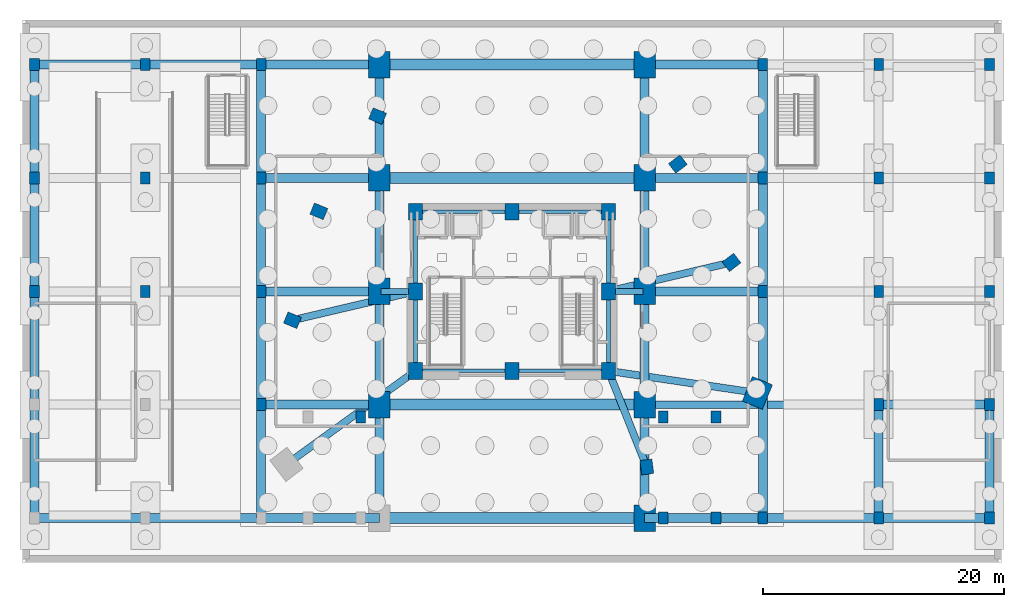
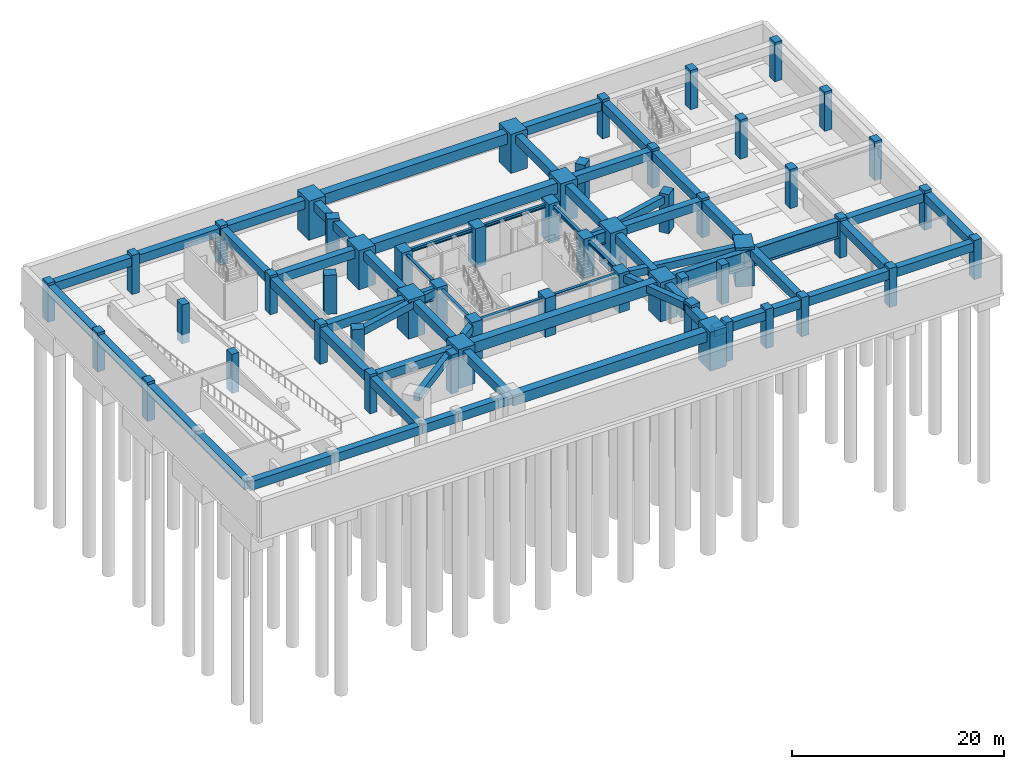
# One storey, part 2 of 10: 61 beams, 53 columns.
"""IFC4 building model written with IfcOpenShell, lengths in metres."""

import ifcopenshell
import ifcopenshell.guid

model = None  # the IFC model being written
_history = None  # IfcOwnerHistory: only IFC2X3 demands one
_inside = {}  # id of a spatial element -> (the spatial element, [elements in it])
_under = {}  # id of a project, library or spatial element -> (it, [spatial elements below it])
_declared = {}  # id of a project -> (the project, [libraries it declares])
_typed = {}  # id of a type object -> (the type object, [elements of that type])
_made_of = {}  # id of a material, layer set ... -> (it, [elements and type objects made of it])


def new_model(schema):
    """Start an empty IFC model of exactly this schema.

    Asked for "IFC4X3", IfcOpenShell would pick the latest addendum, in which some entities
    have other attributes; the version numbers below select the first issue.
    IFC2X3 requires an IfcOwnerHistory on every rooted entity: one is made here for all.
    """
    global model, _history
    if schema == "IFC4X3":
        model = ifcopenshell.file(schema_version=(4, 3, 0, 0))
    else:
        model = ifcopenshell.file(schema=schema)
    _inside.clear()
    _under.clear()
    _declared.clear()
    _typed.clear()
    _made_of.clear()
    _history = None
    if model.schema == "IFC2X3":
        org = make("IfcOrganization", Name="unknown")
        user = make(
            "IfcPersonAndOrganization",
            ThePerson=make("IfcPerson", FamilyName="unknown"),
            TheOrganization=org,
        )
        app = make(
            "IfcApplication",
            ApplicationDeveloper=org,
            Version="unknown",
            ApplicationFullName="unknown",
            ApplicationIdentifier="unknown",
        )
        _history = make(
            "IfcOwnerHistory",
            OwningUser=user,
            OwningApplication=app,
            ChangeAction="ADDED",
            CreationDate=0,
        )
    return model


def make(cls, **values):
    """One entity of the class cls with the attributes given. An attribute that is None is left unset."""
    return model.create_entity(
        cls, **{name: value for name, value in values.items() if value is not None}
    )


def rooted(cls, **values):
    """An entity with a GlobalId (a new one), such as an element, a storey or a relation."""
    return make(cls, GlobalId=ifcopenshell.guid.new(), OwnerHistory=_history, **values)


def si_unit(unit_type, name, prefix=None):
    """IfcSIUnit, for example si_unit("LENGTHUNIT", "METRE", prefix="MILLI")."""
    return make("IfcSIUnit", UnitType=unit_type, Prefix=prefix, Name=name)


def assignment(units):
    """IfcUnitAssignment: the units of a project."""
    return None if units is None else make("IfcUnitAssignment", Units=units)


def point(xyz):
    """IfcCartesianPoint."""
    return None if xyz is None else make("IfcCartesianPoint", Coordinates=xyz)


def direction(xyz):
    """IfcDirection."""
    return None if xyz is None else make("IfcDirection", DirectionRatios=xyz)


def frame(location, z_axis=None, x_axis=None):
    """IfcAxis2Placement3D, a coordinate frame: its origin and axes. An axis left out is left unset."""
    return make(
        "IfcAxis2Placement3D",
        Location=point(location),
        Axis=direction(z_axis),
        RefDirection=direction(x_axis),
    )


def frame_2d(location, x_axis=None):
    """IfcAxis2Placement2D, a coordinate frame in the plane: its origin and x axis."""
    return make(
        "IfcAxis2Placement2D", Location=point(location), RefDirection=direction(x_axis)
    )


def origin():
    """The frame at (0, 0, 0) with its axes left unset."""
    return frame((0.0, 0.0, 0.0))


def origin_2d():
    """The frame at (0, 0) in the plane with its x axis left unset."""
    return frame_2d((0.0, 0.0))


def place(relative_to, where):
    """IfcLocalPlacement: puts the frame where relative to a parent placement (None: the world)."""
    return make(
        "IfcLocalPlacement", PlacementRelTo=relative_to, RelativePlacement=where
    )


def context(
    kind, dimensions, precision=None, world=None, true_north=None, identifier=None
):
    """IfcGeometricRepresentationContext, for example the 3D "Model" context."""
    return make(
        "IfcGeometricRepresentationContext",
        ContextIdentifier=identifier,
        ContextType=kind,
        CoordinateSpaceDimension=dimensions,
        Precision=precision,
        WorldCoordinateSystem=world,
        TrueNorth=true_north,
    )


def subcontext(parent, identifier, kind, view, scale=None):
    """IfcGeometricRepresentationSubContext, for example "Body" below "Model"."""
    return make(
        "IfcGeometricRepresentationSubContext",
        ContextIdentifier=identifier,
        ContextType=kind,
        ParentContext=parent,
        TargetScale=scale,
        TargetView=view,
    )


def project(units=None, contexts=None):
    """IfcProject with its units and contexts."""
    return rooted(
        "IfcProject",
        Name="project",
        RepresentationContexts=contexts,
        UnitsInContext=assignment(units),
    )


def spatial(cls, under=None, at=None, **own):
    """A site, building, storey or space (cls), placed at a placement, below another one or the project."""
    s = rooted(cls, ObjectPlacement=at, **own)
    if under is not None:
        _under.setdefault(under.id(), (under, []))[1].append(s)
    return s


def profile(cls, at=None, kind="AREA", **sizes):
    """A parametric profile (cls). Its sizes go by their IFC names, for example OverallWidth=200.0."""
    return make(cls, ProfileType=kind, Position=at, **sizes)


def rectangle(**sizes):
    """IfcRectangleProfileDef."""
    return profile("IfcRectangleProfileDef", **sizes)


def i_section(**sizes):
    """IfcIShapeProfileDef."""
    return profile("IfcIShapeProfileDef", **sizes)


def extrude(swept, where, along, depth):
    """IfcExtrudedAreaSolid: the profile swept, set in the frame where, extruded along a direction by depth."""
    return make(
        "IfcExtrudedAreaSolid",
        SweptArea=swept,
        Position=where,
        ExtrudedDirection=direction(along),
        Depth=depth,
    )


def shape(context_of_items, identifier, shape_type, items):
    """IfcShapeRepresentation: the items that make up one representation, for example the "Body"."""
    return make(
        "IfcShapeRepresentation",
        ContextOfItems=context_of_items,
        RepresentationIdentifier=identifier,
        RepresentationType=shape_type,
        Items=items,
    )


def material(Name=None, Category=None):
    """IfcMaterial."""
    return make("IfcMaterial", Name=Name, Category=Category)


def material_profile(
    of_material, cross_section, Name=None, Category=None, Priority=None
):
    """IfcMaterialProfile: a cross section and its material."""
    return make(
        "IfcMaterialProfile",
        Name=Name,
        Material=of_material,
        Profile=cross_section,
        Priority=Priority,
        Category=Category,
    )


def profile_set(profiles, Name=None, composite=None):
    """IfcMaterialProfileSet."""
    return make(
        "IfcMaterialProfileSet",
        Name=Name,
        MaterialProfiles=profiles,
        CompositeProfile=composite,
    )


def made_of(thing, what):
    """Note that an element or type object is made of a material, layer set ...; save() writes the relation."""
    if what is not None:
        _made_of.setdefault(what.id(), (what, []))[1].append(thing)
    return thing


def type_object(cls, material=None, **own):
    """A type object (cls), such as IfcWallType, which elements share."""
    return made_of(rooted(cls, **own), material)


def element(
    cls,
    number,
    at=None,
    inside=None,
    cuts=None,
    type_object=None,
    material=None,
    context=None,
    identifier="Body",
    shape_type=None,
    held_by="IfcProductDefinitionShape",
    body=None,
    shapes=None,
    **own,
):
    """One element of the class cls, such as IfcWall. Its Tag is "e" and its number.

    at: its placement. inside: the storey or other place that contains it. cuts: it is an
    opening in that element (IfcRelVoidsElement). A single representation is given by context,
    identifier, shape_type and body (its items); several are given by shapes. held_by: the class
    of the entity that holds the representations. save() writes the other relations.
    """
    e = rooted(cls, Tag="e%d" % number, ObjectPlacement=at, **own)
    if body is not None:
        shapes = [shape(context, identifier, shape_type, body)]
    if shapes is not None:
        e.Representation = make(held_by, Representations=shapes)
    if inside is not None:
        _inside.setdefault(inside.id(), (inside, []))[1].append(e)
    if cuts is not None:
        rooted(
            "IfcRelVoidsElement", RelatingBuildingElement=cuts, RelatedOpeningElement=e
        )
    if type_object is not None:
        _typed.setdefault(type_object.id(), (type_object, []))[1].append(e)
    return made_of(e, material)


def aggregate(whole, parts):
    """IfcRelAggregates: a whole, such as a stair, and the parts it consists of."""
    return rooted("IfcRelAggregates", RelatingObject=whole, RelatedObjects=parts)


def save(model, path):
    """Write the relations noted so far, then the file.

    IfcRelAggregates (storeys below a building ...), IfcRelContainedInSpatialStructure (elements
    in a storey), IfcRelDefinesByType, IfcRelAssociatesMaterial and IfcRelDeclares: one each for
    every whole, place, type object, material and project.
    """
    for whole, parts in _under.values():
        aggregate(whole, parts)
    for where, things in _inside.values():
        rooted(
            "IfcRelContainedInSpatialStructure",
            RelatedElements=things,
            RelatingStructure=where,
        )
    for kind, things in _typed.values():
        rooted("IfcRelDefinesByType", RelatedObjects=things, RelatingType=kind)
    for what, things in _made_of.values():
        rooted("IfcRelAssociatesMaterial", RelatedObjects=things, RelatingMaterial=what)
    for by, libraries in _declared.values():
        rooted("IfcRelDeclares", RelatingContext=by, RelatedDefinitions=libraries)
    model.write(path)


model = new_model("IFC4")

# Units and contexts
model_context = context("Model", 3, precision=1e-05, world=origin(), true_north=direction((0.0, 1.0)))
body_context = subcontext(model_context, "Body", "Model", "MODEL_VIEW")
ifc_project = project(units=[si_unit("LENGTHUNIT", "METRE"), si_unit("AREAUNIT", "SQUARE_METRE"), si_unit("VOLUMEUNIT", "CUBIC_METRE"), si_unit("PLANEANGLEUNIT", "RADIAN"), si_unit("MASSUNIT", "GRAM", prefix="KILO")], contexts=[model_context])

# Site, building, storey
site_placement = place(None, origin())
site = spatial("IfcSite", under=ifc_project, at=site_placement, CompositionType="ELEMENT")
building_placement = place(site_placement, origin())
building = spatial("IfcBuilding", under=site, at=building_placement, Name="Ndelora Gate Hotel", CompositionType="ELEMENT")
storey_placement = place(building_placement, frame((0.0, 0.0, -13.5)))
storey = spatial("IfcBuildingStorey", under=building, at=storey_placement, Name="B03", CompositionType="ELEMENT", Elevation=-13.5)

# Columns
ifc_material_1 = material(Name="Concrete C60/75", Category="concrete")
ifc_material_profile_1 = material_profile(ifc_material_1, rectangle(XDim=1.800048828125, YDim=2.199951171875, at=origin_2d()), Name="RC 2200x1800")
ifc_profile_set_1 = profile_set([ifc_material_profile_1], Name="Concrete C60/75")
column_type_1 = type_object("IfcColumnType", Name="COL-ARCH-PIER", PredefinedType="COLUMN", material=ifc_profile_set_1)
for number, where, z_axis, x_axis, name in (
    (1, (-11.0, -9.39990234375, 0.0), (0.0, 0.0, 1.0), (1.0, 0.0, 0.0), "B03 Podium Column PC-04-02"),
    (2, (-11.0, 0.0, 0.0), (0.0, 0.0, 1.0), (1.0, 0.0, 0.0), "B03 Podium Column PC-04-03"),
    (3, (-11.0, 9.39990234375, 0.0), (0.0, 0.0, 1.0), (1.0, 0.0, 0.0), "B03 Podium Column PC-04-04"),
    (4, (-11.0, 18.800048828125, 0.0), (0.0, 0.0, 1.0), (1.0, 0.0, 0.0), "B03 Podium Column PC-04-05"),
    (5, (11.0, -18.800048828125, 0.0), (0.0, 0.0, 1.0), (1.0, 0.0, 0.0), "B03 Podium Column PC-05-01"),
    (6, (11.0, -9.39990234375, 0.0), (0.0, 0.0, 1.0), (1.0, 0.0, 0.0), "B03 Podium Column PC-05-02"),
    (7, (11.0, 0.0, 0.0), (0.0, 0.0, 1.0), (1.0, 0.0, 0.0), "B03 Podium Column PC-05-03"),
    (8, (11.0, 9.39990234375, 0.0), (0.0, 0.0, 1.0), (1.0, 0.0, 0.0), "B03 Podium Column PC-05-04"),
    (9, (11.0, 18.800048828125, 0.0), (0.0, 0.0, 1.0), (1.0, 0.0, 0.0), "B03 Podium Column PC-05-05"),
):
    element("IfcColumn", number, at=place(storey_placement, frame(where, z_axis=z_axis, x_axis=x_axis)), inside=storey, type_object=column_type_1, Name=name, PredefinedType="COLUMN", context=body_context, shape_type="SweptSolid", body=[
        extrude(rectangle(XDim=1.800048828125, YDim=2.199951171875, at=origin_2d()), origin(), (0.0, 0.0, 1.0), 4.5),
    ])
ifc_material_profile_2 = material_profile(ifc_material_1, rectangle(XDim=1.14990234375, YDim=1.39990234375, at=origin_2d()), Name="RC 1400x1150")
ifc_profile_set_2 = profile_set([ifc_material_profile_2], Name="Concrete C60/75")
column_type_2 = type_object("IfcColumnType", Name="COL-CC-LOW", PredefinedType="COLUMN", material=ifc_profile_set_2)
for number, where, z_axis, x_axis, name in (
    (10, (-8.0, -6.60009765625, 0.0), (0.0, 0.0, 1.0), (1.0, 0.0, 0.0), "B03 Core Column CC1"),
    (11, (0.0, -6.60009765625, 0.0), (0.0, 0.0, 1.0), (1.0, 0.0, 0.0), "B03 Core Column CC2"),
    (12, (8.0, -6.60009765625, 0.0), (0.0, 0.0, 1.0), (1.0, 0.0, 0.0), "B03 Core Column CC3"),
    (13, (8.0, 0.0, 0.0), (0.0, 0.0, 1.0), (1.0, 0.0, 0.0), "B03 Core Column CC4"),
    (14, (8.0, 6.60009765625, 0.0), (0.0, 0.0, 1.0), (1.0, 0.0, 0.0), "B03 Core Column CC5"),
    (15, (0.0, 6.60009765625, 0.0), (0.0, 0.0, 1.0), (1.0, 0.0, 0.0), "B03 Core Column CC6"),
    (16, (-8.0, 6.60009765625, 0.0), (0.0, 0.0, 1.0), (1.0, 0.0, 0.0), "B03 Core Column CC7"),
    (17, (-8.0, 0.0, 0.0), (0.0, 0.0, 1.0), (1.0, 0.0, 0.0), "B03 Core Column CC8"),
):
    element("IfcColumn", number, at=place(storey_placement, frame(where, z_axis=z_axis, x_axis=x_axis)), inside=storey, type_object=column_type_2, Name=name, PredefinedType="COLUMN", context=body_context, shape_type="SweptSolid", body=[
        extrude(rectangle(XDim=1.14990234375, YDim=1.39990234375, at=origin_2d()), origin(), (0.0, 0.0, 1.0), 4.5),
    ])
ifc_material_profile_3 = material_profile(ifc_material_1, rectangle(XDim=1.800048828125, YDim=2.199951171875, at=origin_2d()), Name="RC 2200x1800")
ifc_profile_set_3 = profile_set([ifc_material_profile_3], Name="Concrete C60/75")
column_type_3 = type_object("IfcColumnType", Name="COL-MC-Z1", PredefinedType="COLUMN", material=ifc_profile_set_3)
column_placement = place(storey_placement, frame((20.35009765625, -8.42919921875, 0.0), z_axis=(0.0, 0.0, 1.0), x_axis=(-0.923879532511, 0.382683432365, 0.0)))
element("IfcColumn", 18, at=column_placement, inside=storey, type_object=column_type_3, Name="B03 Tower Plumb Root Column R9", PredefinedType="COLUMN", context=body_context, shape_type="SweptSolid", body=[
    extrude(rectangle(XDim=1.800048828125, YDim=2.199951171875, at=origin_2d()), origin(), (0.0, 0.0, 1.0), 4.5),
])
ifc_material_2 = material(Name="Concrete C50/60", Category="concrete")
ifc_material_profile_4 = material_profile(ifc_material_2, rectangle(XDim=0.800048828125, YDim=1.0, at=origin_2d()), Name="RC 1000x800")
ifc_profile_set_4 = profile_set([ifc_material_profile_4], Name="Concrete C50/60")
column_type_4 = type_object("IfcColumnType", Name="COL-POD-BSM", PredefinedType="COLUMN", material=ifc_profile_set_4)
for number, where, z_axis, x_axis, name in (
    (19, (-39.60009765625, 0.0, 0.0), (0.0, 0.0, 1.0), (1.0, 0.0, 0.0), "B03 Podium Column PC-01-03"),
    (20, (-39.60009765625, 9.39990234375, 0.0), (0.0, 0.0, 1.0), (1.0, 0.0, 0.0), "B03 Podium Column PC-01-04"),
    (21, (-39.60009765625, 18.800048828125, 0.0), (0.0, 0.0, 1.0), (1.0, 0.0, 0.0), "B03 Podium Column PC-01-05"),
    (22, (-30.39990234375, 0.0, 0.0), (0.0, 0.0, 1.0), (1.0, 0.0, 0.0), "B03 Podium Column PC-02-03"),
    (23, (-30.39990234375, 9.39990234375, 0.0), (0.0, 0.0, 1.0), (1.0, 0.0, 0.0), "B03 Podium Column PC-02-04"),
    (24, (-30.39990234375, 18.800048828125, 0.0), (0.0, 0.0, 1.0), (1.0, 0.0, 0.0), "B03 Podium Column PC-02-05"),
    (25, (-20.800048828125, -9.39990234375, 0.0), (0.0, 0.0, 1.0), (1.0, 0.0, 0.0), "B03 Podium Column PC-03-02"),
    (26, (-20.800048828125, 0.0, 0.0), (0.0, 0.0, 1.0), (1.0, 0.0, 0.0), "B03 Podium Column PC-03-03"),
    (27, (-20.800048828125, 9.39990234375, 0.0), (0.0, 0.0, 1.0), (1.0, 0.0, 0.0), "B03 Podium Column PC-03-04"),
    (28, (-20.800048828125, 18.800048828125, 0.0), (0.0, 0.0, 1.0), (1.0, 0.0, 0.0), "B03 Podium Column PC-03-05"),
    (29, (20.800048828125, -18.800048828125, 0.0), (0.0, 0.0, 1.0), (1.0, 0.0, 0.0), "B03 Podium Column PC-06-01"),
    (30, (20.800048828125, 0.0, 0.0), (0.0, 0.0, 1.0), (1.0, 0.0, 0.0), "B03 Podium Column PC-06-03"),
    (31, (20.800048828125, 9.39990234375, 0.0), (0.0, 0.0, 1.0), (1.0, 0.0, 0.0), "B03 Podium Column PC-06-04"),
    (32, (20.800048828125, 18.800048828125, 0.0), (0.0, 0.0, 1.0), (1.0, 0.0, 0.0), "B03 Podium Column PC-06-05"),
    (33, (30.39990234375, -18.800048828125, 0.0), (0.0, 0.0, 1.0), (1.0, 0.0, 0.0), "B03 Podium Column PC-07-01"),
    (34, (30.39990234375, -9.39990234375, 0.0), (0.0, 0.0, 1.0), (1.0, 0.0, 0.0), "B03 Podium Column PC-07-02"),
    (35, (30.39990234375, 0.0, 0.0), (0.0, 0.0, 1.0), (1.0, 0.0, 0.0), "B03 Podium Column PC-07-03"),
    (36, (30.39990234375, 9.39990234375, 0.0), (0.0, 0.0, 1.0), (1.0, 0.0, 0.0), "B03 Podium Column PC-07-04"),
    (37, (30.39990234375, 18.800048828125, 0.0), (0.0, 0.0, 1.0), (1.0, 0.0, 0.0), "B03 Podium Column PC-07-05"),
    (38, (39.60009765625, -18.800048828125, 0.0), (0.0, 0.0, 1.0), (1.0, 0.0, 0.0), "B03 Podium Column PC-08-01"),
    (39, (39.60009765625, -9.39990234375, 0.0), (0.0, 0.0, 1.0), (1.0, 0.0, 0.0), "B03 Podium Column PC-08-02"),
    (40, (39.60009765625, 0.0, 0.0), (0.0, 0.0, 1.0), (1.0, 0.0, 0.0), "B03 Podium Column PC-08-03"),
    (41, (39.60009765625, 9.39990234375, 0.0), (0.0, 0.0, 1.0), (1.0, 0.0, 0.0), "B03 Podium Column PC-08-04"),
    (42, (39.60009765625, 18.800048828125, 0.0), (0.0, 0.0, 1.0), (1.0, 0.0, 0.0), "B03 Podium Column PC-08-05"),
    (43, (-12.5400390625, -10.429931640625, 0.0), (0.0, 0.0, 1.0), (1.0, 0.0, 0.0), "B03 Stair ST3A Plumb Support Column 4"),
    (44, (12.5400390625, -18.800048828125, 0.0), (0.0, 0.0, 1.0), (1.0, 0.0, 0.0), "B03 Stair ST3B Plumb Support Column 1"),
    (45, (16.919921875, -18.800048828125, 0.0), (0.0, 0.0, 1.0), (1.0, 0.0, 0.0), "B03 Stair ST3B Plumb Support Column 2"),
    (46, (12.5400390625, -10.429931640625, 0.0), (0.0, 0.0, 1.0), (1.0, 0.0, 0.0), "B03 Stair ST3B Plumb Support Column 3"),
    (47, (16.919921875, -10.429931640625, 0.0), (0.0, 0.0, 1.0), (1.0, 0.0, 0.0), "B03 Stair ST3B Plumb Support Column 4"),
):
    element("IfcColumn", number, at=place(storey_placement, frame(where, z_axis=z_axis, x_axis=x_axis)), inside=storey, type_object=column_type_4, Name=name, PredefinedType="COLUMN", context=body_context, shape_type="SweptSolid", body=[
        extrude(rectangle(XDim=0.800048828125, YDim=1.0, at=origin_2d()), origin(), (0.0, 0.0, 1.0), 4.5),
    ])
ifc_material_profile_5 = material_profile(ifc_material_1, rectangle(XDim=1.0, YDim=1.199951171875, at=origin_2d()), Name="RC 1200x1000")
ifc_profile_set_5 = profile_set([ifc_material_profile_5], Name="Concrete C60/75")
column_type_5 = type_object("IfcColumnType", Name="COL-PT-Z1", PredefinedType="COLUMN", material=ifc_profile_set_5)
for number, where, z_axis, x_axis, name in (
    (48, (-11.1484375, 14.529052734375, 0.0), (0.0, 0.0, 1.0), (0.382683432365, 0.923879532511, 0.0), "B03 Tower Plumb Root Column R2"),
    (49, (-16.016845703125, 6.634521484375, 0.0), (0.0, 0.0, 1.0), (0.382683432365, 0.923879532511, 0.0), "B03 Tower Plumb Root Column R3"),
    (50, (-18.207275390625, -2.39697265625, 0.0), (0.0, 0.0, 1.0), (0.382683432365, 0.923879532511, 0.0), "B03 Tower Plumb Root Column R4"),
    (51, (11.179443359375, -14.5693359375, 0.0), (0.0, 0.0, 1.0), (0.991444861374, 0.13052619222, 0.0), "B03 Tower Plumb Root Column R8"),
    (52, (18.207275390625, 2.39697265625, 0.0), (0.0, 0.0, 1.0), (-0.608761429009, 0.793353340291, 0.0), "B03 Tower Plumb Root Column R10"),
    (53, (13.75390625, 10.5537109375, 0.0), (0.0, 0.0, 1.0), (-0.608761429009, 0.793353340291, 0.0), "B03 Tower Plumb Root Column R11"),
):
    element("IfcColumn", number, at=place(storey_placement, frame(where, z_axis=z_axis, x_axis=x_axis)), inside=storey, type_object=column_type_5, Name=name, PredefinedType="COLUMN", context=body_context, shape_type="SweptSolid", body=[
        extrude(rectangle(XDim=1.0, YDim=1.199951171875, at=origin_2d()), origin(), (0.0, 0.0, 1.0), 4.5),
    ])

# Beams
ifc_material_3 = material(Name="Steel S355", Category="steel")
ifc_material_profile_6 = material_profile(ifc_material_3, i_section(OverallWidth=0.300048828125, OverallDepth=0.39990234375, WebThickness=0.013427734375, FlangeThickness=0.02392578125, FilletRadius=0.027099609375, at=origin_2d()), Name="HEB 400")
ifc_profile_set_6 = profile_set([ifc_material_profile_6], Name="Steel S355")
beam_type_1 = type_object("IfcBeamType", Name="BM-CORE-400", PredefinedType="BEAM", material=ifc_profile_set_6)
for number, where, z_axis, x_axis, name in (
    (54, (-8.0, 6.60009765625, 4.0), (1.0, 0.0, 0.0), (0.0, 1.0, 0.0), "B03 Core Tie Girder CC7-CC6"),
    (55, (0.0, 6.60009765625, 4.0), (1.0, 0.0, 0.0), (0.0, 1.0, 0.0), "B03 Core Tie Girder CC6-CC5"),
):
    element("IfcBeam", number, at=place(storey_placement, frame(where, z_axis=z_axis, x_axis=x_axis)), inside=storey, type_object=beam_type_1, Name=name, PredefinedType="BEAM", context=body_context, shape_type="SweptSolid", body=[
        extrude(i_section(OverallWidth=0.300048828125, OverallDepth=0.39990234375, WebThickness=0.013427734375, FlangeThickness=0.02392578125, FilletRadius=0.027099609375, at=origin_2d()), origin(), (0.0, 0.0, 1.0), 8.0),
    ])
for number, where, z_axis, x_axis, name in (
    (56, (-8.0, -6.60009765625, 4.0), (0.0, 1.0, 0.0), (-1.0, 0.0, 0.0), "B03 Core Tie Girder CC1-CC8"),
    (57, (-8.0, 0.0, 4.0), (0.0, 1.0, 0.0), (-1.0, 0.0, 0.0), "B03 Core Tie Girder CC8-CC7"),
    (58, (8.0, -6.60009765625, 4.0), (0.0, 1.0, 0.0), (-1.0, 0.0, 0.0), "B03 Core Tie Girder CC3-CC4"),
    (59, (8.0, 0.0, 4.0), (0.0, 1.0, 0.0), (-1.0, 0.0, 0.0), "B03 Core Tie Girder CC4-CC5"),
):
    element("IfcBeam", number, at=place(storey_placement, frame(where, z_axis=z_axis, x_axis=x_axis)), inside=storey, type_object=beam_type_1, Name=name, PredefinedType="BEAM", context=body_context, shape_type="SweptSolid", body=[
        extrude(i_section(OverallWidth=0.300048828125, OverallDepth=0.39990234375, WebThickness=0.013427734375, FlangeThickness=0.02392578125, FilletRadius=0.027099609375, at=origin_2d()), origin(), (0.0, 0.0, 1.0), 6.60009765625),
    ])
for number, where, z_axis, x_axis, name in (
    (60, (-8.0, -6.60009765625, 4.0), (1.0, 0.0, 0.0), (0.0, 1.0, 0.0), "B03 Core Tie Girder CC1-CC2"),
    (61, (0.0, -6.60009765625, 4.0), (1.0, 0.0, 0.0), (0.0, 1.0, 0.0), "B03 Core Tie Girder CC2-CC3"),
):
    element("IfcBeam", number, at=place(storey_placement, frame(where, z_axis=z_axis, x_axis=x_axis)), inside=storey, type_object=beam_type_1, Name=name, PredefinedType="BEAM", context=body_context, shape_type="SweptSolid", body=[
        extrude(i_section(OverallWidth=0.300048828125, OverallDepth=0.39990234375, WebThickness=0.013427734375, FlangeThickness=0.02392578125, FilletRadius=0.027099609375, at=origin_2d()), origin(), (0.0, 0.0, 1.0), 8.0),
    ])
ifc_material_4 = material(Name="Concrete C40/50", Category="concrete")
ifc_material_profile_7 = material_profile(ifc_material_4, rectangle(XDim=0.60009765625, YDim=0.85009765625, at=origin_2d()), Name="RCB 600x850")
ifc_profile_set_7 = profile_set([ifc_material_profile_7], Name="Concrete C40/50")
beam_type_2 = type_object("IfcBeamType", Name="BM-RC-600x850", PredefinedType="BEAM", material=ifc_profile_set_7)
beam_1_placement = place(storey_placement, frame((-8.0, 0.0, 3.77490234375), z_axis=(-0.973517848051, -0.22861102232, 0.0), x_axis=(0.22861102232, -0.973517848051, 0.0)))
element("IfcBeam", 62, at=beam_1_placement, inside=storey, type_object=beam_type_2, Name="B03 Tower Root Radial Tie Beam 4", PredefinedType="BEAM", context=body_context, shape_type="SweptSolid", body=[
    extrude(rectangle(XDim=0.60009765625, YDim=0.85009765625, at=origin_2d()), origin(), (0.0, 0.0, 1.0), 10.48486328125),
])
beam_2_placement = place(storey_placement, frame((-8.0, -6.60009765625, 3.77490234375), z_axis=(-0.809912157619, -0.586551188679, 0.0), x_axis=(0.586551188679, -0.809912157619, 0.0)))
element("IfcBeam", 63, at=beam_2_placement, inside=storey, type_object=beam_type_2, Name="B03 Tower Root Radial Tie Beam 5", PredefinedType="BEAM", context=body_context, shape_type="SweptSolid", body=[
    extrude(rectangle(XDim=0.60009765625, YDim=0.85009765625, at=origin_2d()), origin(), (0.0, 0.0, 1.0), 13.213623046875),
])
beam_3_placement = place(storey_placement, frame((8.0, -6.60009765625, 3.77490234375), z_axis=(0.37056142644, -0.92880796144, 0.0), x_axis=(0.92880796144, 0.37056142644, 0.0)))
element("IfcBeam", 64, at=beam_3_placement, inside=storey, type_object=beam_type_2, Name="B03 Tower Root Radial Tie Beam 8", PredefinedType="BEAM", context=body_context, shape_type="SweptSolid", body=[
    extrude(rectangle(XDim=0.60009765625, YDim=0.85009765625, at=origin_2d()), origin(), (0.0, 0.0, 1.0), 8.580078125),
])
beam_4_placement = place(storey_placement, frame((8.0, -6.60009765625, 3.77490234375), z_axis=(0.989209761041, -0.146506138649, 0.0), x_axis=(0.146506138649, 0.989209761041, 0.0)))
element("IfcBeam", 65, at=beam_4_placement, inside=storey, type_object=beam_type_2, Name="B03 Tower Root Radial Tie Beam 9", PredefinedType="BEAM", context=body_context, shape_type="SweptSolid", body=[
    extrude(rectangle(XDim=0.60009765625, YDim=0.85009765625, at=origin_2d()), origin(), (0.0, 0.0, 1.0), 12.48486328125),
])
beam_5_placement = place(storey_placement, frame((8.0, 0.0, 3.77490234375), z_axis=(0.973517848051, 0.22861102232, 0.0), x_axis=(-0.22861102232, 0.973517848051, 0.0)))
element("IfcBeam", 66, at=beam_5_placement, inside=storey, type_object=beam_type_2, Name="B03 Tower Root Radial Tie Beam 10", PredefinedType="BEAM", context=body_context, shape_type="SweptSolid", body=[
    extrude(rectangle(XDim=0.60009765625, YDim=0.85009765625, at=origin_2d()), origin(), (0.0, 0.0, 1.0), 10.48486328125),
])
ifc_material_profile_8 = material_profile(ifc_material_2, rectangle(XDim=0.75, YDim=1.0, at=origin_2d()), Name="RCB 750x1000")
ifc_profile_set_8 = profile_set([ifc_material_profile_8], Name="Concrete C50/60")
beam_type_3 = type_object("IfcBeamType", Name="BM-RC-750x1000", PredefinedType="BEAM", material=ifc_profile_set_8)
beam_6_placement = place(storey_placement, frame((-39.60009765625, -18.800048828125, 3.699951171875), z_axis=(0.0, 1.0, 0.0), x_axis=(-1.0, 0.0, 0.0)))
element("IfcBeam", 67, at=beam_6_placement, inside=storey, type_object=beam_type_3, Name="B03 Podium Longitudinal Girder X=-39.6", PredefinedType="BEAM", context=body_context, shape_type="SweptSolid", body=[
    extrude(rectangle(XDim=0.75, YDim=1.0, at=origin_2d()), origin(), (0.0, 0.0, 1.0), 9.400146484375),
])
for number, where, z_axis, x_axis, name in (
    (68, (-39.60009765625, -9.39990234375, 3.699951171875), (0.0, 1.0, 0.0), (-1.0, 0.0, 0.0), "B03 Podium Longitudinal Girder X=-39.6"),
    (69, (-39.60009765625, 0.0, 3.699951171875), (0.0, 1.0, 0.0), (-1.0, 0.0, 0.0), "B03 Podium Longitudinal Girder X=-39.6"),
):
    element("IfcBeam", number, at=place(storey_placement, frame(where, z_axis=z_axis, x_axis=x_axis)), inside=storey, type_object=beam_type_3, Name=name, PredefinedType="BEAM", context=body_context, shape_type="SweptSolid", body=[
        extrude(rectangle(XDim=0.75, YDim=1.0, at=origin_2d()), origin(), (0.0, 0.0, 1.0), 9.39990234375),
    ])
for number, where, z_axis, x_axis, name in (
    (70, (-39.60009765625, 9.39990234375, 3.699951171875), (0.0, 1.0, 0.0), (-1.0, 0.0, 0.0), "B03 Podium Longitudinal Girder X=-39.6"),
    (71, (-20.800048828125, -18.800048828125, 3.699951171875), (0.0, 1.0, 0.0), (-1.0, 0.0, 0.0), "B03 Podium Longitudinal Girder X=-20.8"),
):
    element("IfcBeam", number, at=place(storey_placement, frame(where, z_axis=z_axis, x_axis=x_axis)), inside=storey, type_object=beam_type_3, Name=name, PredefinedType="BEAM", context=body_context, shape_type="SweptSolid", body=[
        extrude(rectangle(XDim=0.75, YDim=1.0, at=origin_2d()), origin(), (0.0, 0.0, 1.0), 9.400146484375),
    ])
for number, where, z_axis, x_axis, name in (
    (72, (-20.800048828125, -9.39990234375, 3.699951171875), (0.0, 1.0, 0.0), (-1.0, 0.0, 0.0), "B03 Podium Longitudinal Girder X=-20.8"),
    (73, (-20.800048828125, 0.0, 3.699951171875), (0.0, 1.0, 0.0), (-1.0, 0.0, 0.0), "B03 Podium Longitudinal Girder X=-20.8"),
):
    element("IfcBeam", number, at=place(storey_placement, frame(where, z_axis=z_axis, x_axis=x_axis)), inside=storey, type_object=beam_type_3, Name=name, PredefinedType="BEAM", context=body_context, shape_type="SweptSolid", body=[
        extrude(rectangle(XDim=0.75, YDim=1.0, at=origin_2d()), origin(), (0.0, 0.0, 1.0), 9.39990234375),
    ])
for number, where, z_axis, x_axis, name in (
    (74, (-20.800048828125, 9.39990234375, 3.699951171875), (0.0, 1.0, 0.0), (-1.0, 0.0, 0.0), "B03 Podium Longitudinal Girder X=-20.8"),
    (75, (-11.0, -18.800048828125, 3.699951171875), (0.0, 1.0, 0.0), (-1.0, 0.0, 0.0), "B03 Podium Longitudinal Girder X=-11.0"),
):
    element("IfcBeam", number, at=place(storey_placement, frame(where, z_axis=z_axis, x_axis=x_axis)), inside=storey, type_object=beam_type_3, Name=name, PredefinedType="BEAM", context=body_context, shape_type="SweptSolid", body=[
        extrude(rectangle(XDim=0.75, YDim=1.0, at=origin_2d()), origin(), (0.0, 0.0, 1.0), 9.400146484375),
    ])
for number, where, z_axis, x_axis, name in (
    (76, (-11.0, -9.39990234375, 3.699951171875), (0.0, 1.0, 0.0), (-1.0, 0.0, 0.0), "B03 Podium Longitudinal Girder X=-11.0"),
    (77, (-11.0, 0.0, 3.699951171875), (0.0, 1.0, 0.0), (-1.0, 0.0, 0.0), "B03 Podium Longitudinal Girder X=-11.0"),
):
    element("IfcBeam", number, at=place(storey_placement, frame(where, z_axis=z_axis, x_axis=x_axis)), inside=storey, type_object=beam_type_3, Name=name, PredefinedType="BEAM", context=body_context, shape_type="SweptSolid", body=[
        extrude(rectangle(XDim=0.75, YDim=1.0, at=origin_2d()), origin(), (0.0, 0.0, 1.0), 9.39990234375),
    ])
for number, where, z_axis, x_axis, name in (
    (78, (-11.0, 9.39990234375, 3.699951171875), (0.0, 1.0, 0.0), (-1.0, 0.0, 0.0), "B03 Podium Longitudinal Girder X=-11.0"),
    (79, (11.0, -18.800048828125, 3.699951171875), (0.0, 1.0, 0.0), (-1.0, 0.0, 0.0), "B03 Podium Longitudinal Girder X=+11.0"),
):
    element("IfcBeam", number, at=place(storey_placement, frame(where, z_axis=z_axis, x_axis=x_axis)), inside=storey, type_object=beam_type_3, Name=name, PredefinedType="BEAM", context=body_context, shape_type="SweptSolid", body=[
        extrude(rectangle(XDim=0.75, YDim=1.0, at=origin_2d()), origin(), (0.0, 0.0, 1.0), 9.400146484375),
    ])
for number, where, z_axis, x_axis, name in (
    (80, (11.0, -9.39990234375, 3.699951171875), (0.0, 1.0, 0.0), (-1.0, 0.0, 0.0), "B03 Podium Longitudinal Girder X=+11.0"),
    (81, (11.0, 0.0, 3.699951171875), (0.0, 1.0, 0.0), (-1.0, 0.0, 0.0), "B03 Podium Longitudinal Girder X=+11.0"),
):
    element("IfcBeam", number, at=place(storey_placement, frame(where, z_axis=z_axis, x_axis=x_axis)), inside=storey, type_object=beam_type_3, Name=name, PredefinedType="BEAM", context=body_context, shape_type="SweptSolid", body=[
        extrude(rectangle(XDim=0.75, YDim=1.0, at=origin_2d()), origin(), (0.0, 0.0, 1.0), 9.39990234375),
    ])
beam_7_placement = place(storey_placement, frame((11.0, 9.39990234375, 3.699951171875), z_axis=(0.0, 1.0, 0.0), x_axis=(-1.0, 0.0, 0.0)))
element("IfcBeam", 82, at=beam_7_placement, inside=storey, type_object=beam_type_3, Name="B03 Podium Longitudinal Girder X=+11.0", PredefinedType="BEAM", context=body_context, shape_type="SweptSolid", body=[
    extrude(rectangle(XDim=0.75, YDim=1.0, at=origin_2d()), origin(), (0.0, 0.0, 1.0), 9.400146484375),
])
beam_8_placement = place(storey_placement, frame((20.800048828125, -18.800048828125, 3.699951171875), z_axis=(0.0, 1.0, 0.0), x_axis=(-1.0, 0.0, 0.0)))
element("IfcBeam", 83, at=beam_8_placement, inside=storey, type_object=beam_type_3, Name="B03 Podium Longitudinal Girder X=+20.8", PredefinedType="BEAM", context=body_context, shape_type="SweptSolid", body=[
    extrude(rectangle(XDim=0.75, YDim=1.0, at=origin_2d()), origin(), (0.0, 0.0, 1.0), 18.800048828125),
])
beam_9_placement = place(storey_placement, frame((20.800048828125, 0.0, 3.699951171875), z_axis=(0.0, 1.0, 0.0), x_axis=(-1.0, 0.0, 0.0)))
element("IfcBeam", 84, at=beam_9_placement, inside=storey, type_object=beam_type_3, Name="B03 Podium Longitudinal Girder X=+20.8", PredefinedType="BEAM", context=body_context, shape_type="SweptSolid", body=[
    extrude(rectangle(XDim=0.75, YDim=1.0, at=origin_2d()), origin(), (0.0, 0.0, 1.0), 9.39990234375),
])
for number, where, z_axis, x_axis, name in (
    (85, (20.800048828125, 9.39990234375, 3.699951171875), (0.0, 1.0, 0.0), (-1.0, 0.0, 0.0), "B03 Podium Longitudinal Girder X=+20.8"),
    (86, (30.39990234375, -18.800048828125, 3.699951171875), (0.0, 1.0, 0.0), (-1.0, 0.0, 0.0), "B03 Podium Longitudinal Girder X=+30.4"),
    (87, (39.60009765625, -18.800048828125, 3.699951171875), (0.0, 1.0, 0.0), (-1.0, 0.0, 0.0), "B03 Podium Longitudinal Girder X=+39.6"),
):
    element("IfcBeam", number, at=place(storey_placement, frame(where, z_axis=z_axis, x_axis=x_axis)), inside=storey, type_object=beam_type_3, Name=name, PredefinedType="BEAM", context=body_context, shape_type="SweptSolid", body=[
        extrude(rectangle(XDim=0.75, YDim=1.0, at=origin_2d()), origin(), (0.0, 0.0, 1.0), 9.400146484375),
    ])
beam_10_placement = place(storey_placement, frame((-39.60009765625, -18.800048828125, 3.699951171875), z_axis=(1.0, 0.0, 0.0), x_axis=(0.0, 1.0, 0.0)))
element("IfcBeam", 88, at=beam_10_placement, inside=storey, type_object=beam_type_3, Name="B03 Podium Transverse Girder Y=-18.8", PredefinedType="BEAM", context=body_context, shape_type="SweptSolid", body=[
    extrude(rectangle(XDim=0.75, YDim=1.0, at=origin_2d()), origin(), (0.0, 0.0, 1.0), 9.2001953125),
])
beam_11_placement = place(storey_placement, frame((-30.39990234375, -18.800048828125, 3.699951171875), z_axis=(1.0, 0.0, 0.0), x_axis=(0.0, 1.0, 0.0)))
element("IfcBeam", 89, at=beam_11_placement, inside=storey, type_object=beam_type_3, Name="B03 Podium Transverse Girder Y=-18.8", PredefinedType="BEAM", context=body_context, shape_type="SweptSolid", body=[
    extrude(rectangle(XDim=0.75, YDim=1.0, at=origin_2d()), origin(), (0.0, 0.0, 1.0), 9.599853515625),
])
beam_12_placement = place(storey_placement, frame((-20.800048828125, -18.800048828125, 3.699951171875), z_axis=(1.0, 0.0, 0.0), x_axis=(0.0, 1.0, 0.0)))
element("IfcBeam", 90, at=beam_12_placement, inside=storey, type_object=beam_type_3, Name="B03 Podium Transverse Girder Y=-18.8", PredefinedType="BEAM", context=body_context, shape_type="SweptSolid", body=[
    extrude(rectangle(XDim=0.75, YDim=1.0, at=origin_2d()), origin(), (0.0, 0.0, 1.0), 3.880126953125),
])
beam_13_placement = place(storey_placement, frame((-16.919921875, -18.800048828125, 3.699951171875), z_axis=(1.0, 0.0, 0.0), x_axis=(0.0, 1.0, 0.0)))
element("IfcBeam", 91, at=beam_13_placement, inside=storey, type_object=beam_type_3, Name="B03 Podium Transverse Girder Y=-18.8", PredefinedType="BEAM", context=body_context, shape_type="SweptSolid", body=[
    extrude(rectangle(XDim=0.75, YDim=1.0, at=origin_2d()), origin(), (0.0, 0.0, 1.0), 4.3798828125),
])
for number, where, z_axis, x_axis, name in (
    (92, (-12.5400390625, -18.800048828125, 3.699951171875), (1.0, 0.0, 0.0), (0.0, 1.0, 0.0), "B03 Podium Transverse Girder Y=-18.8"),
    (93, (11.0, -18.800048828125, 3.699951171875), (1.0, 0.0, 0.0), (0.0, 1.0, 0.0), "B03 Podium Transverse Girder Y=-18.8"),
):
    element("IfcBeam", number, at=place(storey_placement, frame(where, z_axis=z_axis, x_axis=x_axis)), inside=storey, type_object=beam_type_3, Name=name, PredefinedType="BEAM", context=body_context, shape_type="SweptSolid", body=[
        extrude(rectangle(XDim=0.75, YDim=1.0, at=origin_2d()), origin(), (0.0, 0.0, 1.0), 1.5400390625),
    ])
beam_14_placement = place(storey_placement, frame((12.5400390625, -18.800048828125, 3.699951171875), z_axis=(1.0, 0.0, 0.0), x_axis=(0.0, 1.0, 0.0)))
element("IfcBeam", 94, at=beam_14_placement, inside=storey, type_object=beam_type_3, Name="B03 Podium Transverse Girder Y=-18.8", PredefinedType="BEAM", context=body_context, shape_type="SweptSolid", body=[
    extrude(rectangle(XDim=0.75, YDim=1.0, at=origin_2d()), origin(), (0.0, 0.0, 1.0), 4.3798828125),
])
beam_15_placement = place(storey_placement, frame((16.919921875, -18.800048828125, 3.699951171875), z_axis=(1.0, 0.0, 0.0), x_axis=(0.0, 1.0, 0.0)))
element("IfcBeam", 95, at=beam_15_placement, inside=storey, type_object=beam_type_3, Name="B03 Podium Transverse Girder Y=-18.8", PredefinedType="BEAM", context=body_context, shape_type="SweptSolid", body=[
    extrude(rectangle(XDim=0.75, YDim=1.0, at=origin_2d()), origin(), (0.0, 0.0, 1.0), 3.880126953125),
])
beam_16_placement = place(storey_placement, frame((20.800048828125, -18.800048828125, 3.699951171875), z_axis=(1.0, 0.0, 0.0), x_axis=(0.0, 1.0, 0.0)))
element("IfcBeam", 96, at=beam_16_placement, inside=storey, type_object=beam_type_3, Name="B03 Podium Transverse Girder Y=-18.8", PredefinedType="BEAM", context=body_context, shape_type="SweptSolid", body=[
    extrude(rectangle(XDim=0.75, YDim=1.0, at=origin_2d()), origin(), (0.0, 0.0, 1.0), 9.599853515625),
])
beam_17_placement = place(storey_placement, frame((30.39990234375, -18.800048828125, 3.699951171875), z_axis=(1.0, 0.0, 0.0), x_axis=(0.0, 1.0, 0.0)))
element("IfcBeam", 97, at=beam_17_placement, inside=storey, type_object=beam_type_3, Name="B03 Podium Transverse Girder Y=-18.8", PredefinedType="BEAM", context=body_context, shape_type="SweptSolid", body=[
    extrude(rectangle(XDim=0.75, YDim=1.0, at=origin_2d()), origin(), (0.0, 0.0, 1.0), 9.2001953125),
])
beam_18_placement = place(storey_placement, frame((-20.800048828125, -9.39990234375, 3.699951171875), z_axis=(1.0, 0.0, 0.0), x_axis=(0.0, 1.0, 0.0)))
element("IfcBeam", 98, at=beam_18_placement, inside=storey, type_object=beam_type_3, Name="B03 Podium Transverse Girder Y=-9.4", PredefinedType="BEAM", context=body_context, shape_type="SweptSolid", body=[
    extrude(rectangle(XDim=0.75, YDim=1.0, at=origin_2d()), origin(), (0.0, 0.0, 1.0), 9.800048828125),
])
beam_19_placement = place(storey_placement, frame((30.39990234375, -9.39990234375, 3.699951171875), z_axis=(1.0, 0.0, 0.0), x_axis=(0.0, 1.0, 0.0)))
element("IfcBeam", 99, at=beam_19_placement, inside=storey, type_object=beam_type_3, Name="B03 Podium Transverse Girder Y=-9.4", PredefinedType="BEAM", context=body_context, shape_type="SweptSolid", body=[
    extrude(rectangle(XDim=0.75, YDim=1.0, at=origin_2d()), origin(), (0.0, 0.0, 1.0), 9.2001953125),
])
for number, where, z_axis, x_axis, name in (
    (100, (-20.800048828125, 0.0, 3.699951171875), (1.0, 0.0, 0.0), (0.0, 1.0, 0.0), "B03 Podium Transverse Girder Y=+0.0"),
    (101, (11.0, 0.0, 3.699951171875), (1.0, 0.0, 0.0), (0.0, 1.0, 0.0), "B03 Podium Transverse Girder Y=+0.0"),
    (102, (-20.800048828125, 9.39990234375, 3.699951171875), (1.0, 0.0, 0.0), (0.0, 1.0, 0.0), "B03 Podium Transverse Girder Y=+9.4"),
    (103, (11.0, 9.39990234375, 3.699951171875), (1.0, 0.0, 0.0), (0.0, 1.0, 0.0), "B03 Podium Transverse Girder Y=+9.4"),
):
    element("IfcBeam", number, at=place(storey_placement, frame(where, z_axis=z_axis, x_axis=x_axis)), inside=storey, type_object=beam_type_3, Name=name, PredefinedType="BEAM", context=body_context, shape_type="SweptSolid", body=[
        extrude(rectangle(XDim=0.75, YDim=1.0, at=origin_2d()), origin(), (0.0, 0.0, 1.0), 9.800048828125),
    ])
beam_20_placement = place(storey_placement, frame((-39.60009765625, 18.800048828125, 3.699951171875), z_axis=(1.0, 0.0, 0.0), x_axis=(0.0, 1.0, 0.0)))
element("IfcBeam", 104, at=beam_20_placement, inside=storey, type_object=beam_type_3, Name="B03 Podium Transverse Girder Y=+18.8", PredefinedType="BEAM", context=body_context, shape_type="SweptSolid", body=[
    extrude(rectangle(XDim=0.75, YDim=1.0, at=origin_2d()), origin(), (0.0, 0.0, 1.0), 9.2001953125),
])
beam_21_placement = place(storey_placement, frame((-30.39990234375, 18.800048828125, 3.699951171875), z_axis=(1.0, 0.0, 0.0), x_axis=(0.0, 1.0, 0.0)))
element("IfcBeam", 105, at=beam_21_placement, inside=storey, type_object=beam_type_3, Name="B03 Podium Transverse Girder Y=+18.8", PredefinedType="BEAM", context=body_context, shape_type="SweptSolid", body=[
    extrude(rectangle(XDim=0.75, YDim=1.0, at=origin_2d()), origin(), (0.0, 0.0, 1.0), 9.599853515625),
])
for number, where, z_axis, x_axis, name in (
    (106, (-20.800048828125, 18.800048828125, 3.699951171875), (1.0, 0.0, 0.0), (0.0, 1.0, 0.0), "B03 Podium Transverse Girder Y=+18.8"),
    (107, (11.0, 18.800048828125, 3.699951171875), (1.0, 0.0, 0.0), (0.0, 1.0, 0.0), "B03 Podium Transverse Girder Y=+18.8"),
):
    element("IfcBeam", number, at=place(storey_placement, frame(where, z_axis=z_axis, x_axis=x_axis)), inside=storey, type_object=beam_type_3, Name=name, PredefinedType="BEAM", context=body_context, shape_type="SweptSolid", body=[
        extrude(rectangle(XDim=0.75, YDim=1.0, at=origin_2d()), origin(), (0.0, 0.0, 1.0), 9.800048828125),
    ])
ifc_material_profile_9 = material_profile(ifc_material_2, rectangle(XDim=0.89990234375, YDim=1.199951171875, at=origin_2d()), Name="RCB 900x1200")
ifc_profile_set_9 = profile_set([ifc_material_profile_9], Name="Concrete C50/60")
beam_type_4 = type_object("IfcBeamType", Name="BM-RC-900x1200", PredefinedType="BEAM", material=ifc_profile_set_9)
for number, where, z_axis, x_axis, name in (
    (108, (-11.0, -18.800048828125, 3.60009765625), (1.0, 0.0, 0.0), (0.0, 1.0, 0.0), "B03 structural beam RCB-1"),
    (109, (-11.0, -9.39990234375, 3.60009765625), (1.0, 0.0, 0.0), (0.0, 1.0, 0.0), "B03 structural beam RCB-1"),
    (110, (-11.0, 9.39990234375, 3.60009765625), (1.0, 0.0, 0.0), (0.0, 1.0, 0.0), "B03 structural beam RCB-1"),
    (111, (-11.0, 18.800048828125, 3.60009765625), (1.0, 0.0, 0.0), (0.0, 1.0, 0.0), "B03 structural beam RCB-1"),
):
    element("IfcBeam", number, at=place(storey_placement, frame(where, z_axis=z_axis, x_axis=x_axis)), inside=storey, type_object=beam_type_4, Name=name, PredefinedType="BEAM", context=body_context, shape_type="SweptSolid", body=[
        extrude(rectangle(XDim=0.89990234375, YDim=1.199951171875, at=origin_2d()), origin(), (0.0, 0.0, 1.0), 22.0),
    ])
ifc_material_5 = material(Name="Steel S460", Category="steel")
ifc_material_profile_10 = material_profile(ifc_material_5, i_section(OverallWidth=0.5, OverallDepth=1.39990234375, WebThickness=0.02392578125, FlangeThickness=0.035888671875, FilletRadius=0.02197265625, at=origin_2d()), Name="PG 1400x500x36")
ifc_profile_set_10 = profile_set([ifc_material_profile_10], Name="Steel S460")
beam_type_5 = type_object("IfcBeamType", Name="BM-TR-1400", PredefinedType="BEAM", material=ifc_profile_set_10)
for number, where, z_axis, x_axis, name in (
    (112, (-10.85009765625, 0.0, 3.5), (1.0, 0.0, 0.0), (0.0, 1.0, 0.0), "B03 structural beam TG-3"),
    (113, (8.5, 0.0, 3.5), (1.0, 0.0, 0.0), (0.0, 1.0, 0.0), "B03 structural beam TG-3"),
):
    element("IfcBeam", number, at=place(storey_placement, frame(where, z_axis=z_axis, x_axis=x_axis)), inside=storey, type_object=beam_type_5, Name=name, PredefinedType="BEAM", context=body_context, shape_type="SweptSolid", body=[
        extrude(i_section(OverallWidth=0.5, OverallDepth=1.39990234375, WebThickness=0.02392578125, FlangeThickness=0.035888671875, FilletRadius=0.02197265625, at=origin_2d()), origin(), (0.0, 0.0, 1.0), 2.35009765625),
    ])
ifc_material_profile_11 = material_profile(ifc_material_5, i_section(OverallWidth=0.6201171875, OverallDepth=2.0, WebThickness=0.028076171875, FlangeThickness=0.0400390625, FilletRadius=0.02392578125, at=origin_2d()), Name="PG 2000x620x40")
ifc_profile_set_11 = profile_set([ifc_material_profile_11], Name="Steel S460")
beam_type_6 = type_object("IfcBeamType", Name="BM-TR-2000", PredefinedType="BEAM", material=ifc_profile_set_11)
beam_22_placement = place(storey_placement, frame((11.0, -9.39990234375, 3.199951171875), z_axis=(1.0, 0.0, 0.0), x_axis=(0.0, 1.0, 0.0)))
element("IfcBeam", 114, at=beam_22_placement, inside=storey, type_object=beam_type_6, Name="B03 Podium Transverse Girder Y=-9.4", PredefinedType="BEAM", context=body_context, shape_type="SweptSolid", body=[
    extrude(i_section(OverallWidth=0.6201171875, OverallDepth=2.0, WebThickness=0.028076171875, FlangeThickness=0.0400390625, FilletRadius=0.02392578125, at=origin_2d()), origin(), (0.0, 0.0, 1.0), 19.39990234375),
])

save(model, "model.ifc")
